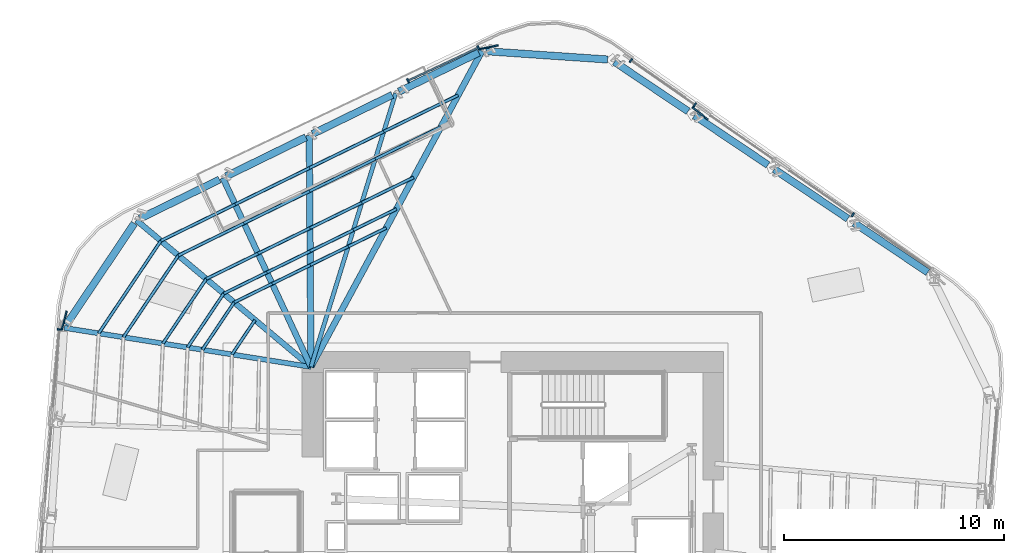
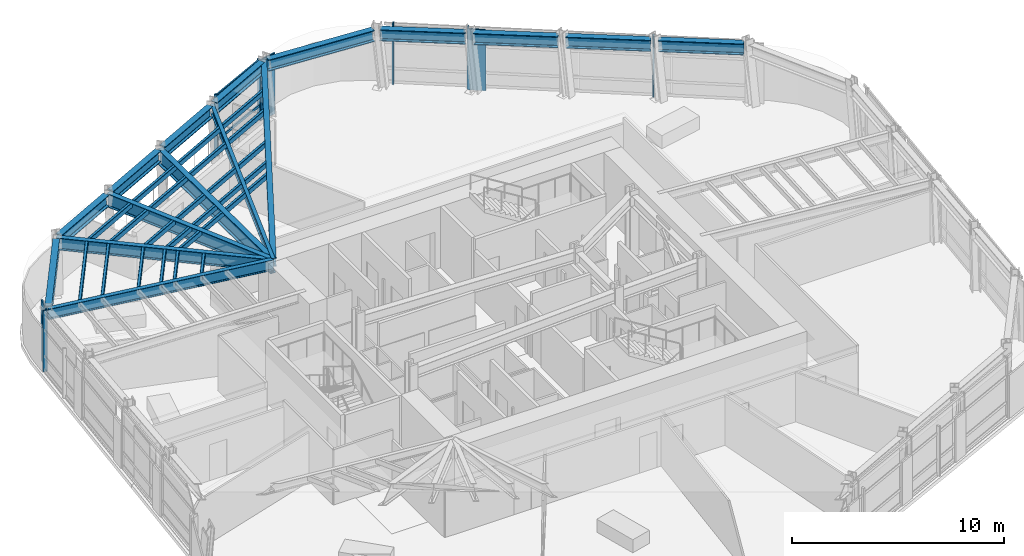
# One storey, part 6 of 19: 37 members, 16 beams, 3 elements without a shape of their own.
"""IFC4 building model written with IfcOpenShell, lengths in metres."""

from ifc_helpers import new_model, si_unit, direction, frame, origin, origin_2d, place, context, subcontext, project, spatial, rectangle, hollow_rectangle, i_section, extrude, material, layer, layer_set, material_profile, profile_set, type_object, element, aggregate, save


model = new_model("IFC4")

# Units and contexts
model_context = context("Model", 3, precision=1e-05, world=origin(), true_north=direction((0.0, 1.0)))
body_context = subcontext(model_context, "Body", "Model", "MODEL_VIEW")
ifc_project = project(units=[si_unit("LENGTHUNIT", "METRE"), si_unit("AREAUNIT", "SQUARE_METRE"), si_unit("VOLUMEUNIT", "CUBIC_METRE"), si_unit("PLANEANGLEUNIT", "RADIAN"), si_unit("MASSUNIT", "GRAM", prefix="KILO")], contexts=[model_context])

# Site, building, storey
site_placement = place(None, origin())
site = spatial("IfcSite", under=ifc_project, at=site_placement, CompositionType="ELEMENT")
building_placement = place(site_placement, origin())
building = spatial("IfcBuilding", under=site, at=building_placement, Name="Valkerne Bourse Tower", CompositionType="ELEMENT")
storey_placement = place(building_placement, frame((0.0, 0.0, 131.39990234375)))
storey = spatial("IfcBuildingStorey", under=building, at=storey_placement, Name="L33", CompositionType="ELEMENT", Elevation=131.39990234375)

# Beams
ifc_material_1 = material(Name="Steel ASTM A992", Category="steel")
ifc_material_profile_1 = material_profile(ifc_material_1, i_section(OverallWidth=0.1904296875, OverallDepth=0.457275390625, WebThickness=0.009033203125, FlangeThickness=0.014404296875, FilletRadius=0.01513671875, at=origin_2d()), Name="W18X50")
ifc_profile_set_1 = profile_set([ifc_material_profile_1], Name="Steel ASTM A992")
beam_type_1 = type_object("IfcBeamType", Name="BM-W18X50", PredefinedType="JOIST", material=ifc_profile_set_1)
beam_1_placement = place(storey_placement, frame((41.458740234375, 47.865478515625, 3.29150390625), z_axis=(-0.295701208145, -0.955280480017, 0.0), x_axis=(0.955280480017, -0.295701208145, 0.0)))
element("IfcBeam", 1, at=beam_1_placement, inside=storey, type_object=beam_type_1, Name="L33 Radial Composite Floor Beam 06", PredefinedType="JOIST", context=body_context, shape_type="SweptSolid", body=[
    extrude(i_section(OverallWidth=0.1904296875, OverallDepth=0.457275390625, WebThickness=0.009033203125, FlangeThickness=0.014404296875, FilletRadius=0.01513671875, at=origin_2d()), origin(), (0.0, 0.0, 1.0), 13.049072265625),
])
ifc_material_profile_2 = material_profile(ifc_material_1, i_section(OverallWidth=0.279296875, OverallDepth=0.46240234375, WebThickness=0.0107421875, FlangeThickness=0.017333984375, FilletRadius=0.017822265625, at=origin_2d()), Name="W18X76")
ifc_profile_set_2 = profile_set([ifc_material_profile_2], Name="Steel ASTM A992")
beam_type_2 = type_object("IfcBeamType", Name="BM-W18X76", PredefinedType="BEAM", material=ifc_profile_set_2)
beam_2_placement = place(storey_placement, frame((45.394775390625, 49.7939453125, 3.288818359375), z_axis=(-0.476184167442, -0.879345574093, 0.0), x_axis=(0.879345574093, -0.476184167442, 0.0)))
element("IfcBeam", 2, at=beam_2_placement, inside=storey, type_object=beam_type_2, Name="L33 Radial Composite Floor Beam 05", PredefinedType="BEAM", context=body_context, shape_type="SweptSolid", body=[
    extrude(i_section(OverallWidth=0.279296875, OverallDepth=0.46240234375, WebThickness=0.0107421875, FlangeThickness=0.017333984375, FilletRadius=0.017822265625, at=origin_2d()), origin(), (0.0, 0.0, 1.0), 16.369140625),
])
ifc_material_profile_3 = material_profile(ifc_material_1, i_section(OverallWidth=0.330078125, OverallDepth=0.647705078125, WebThickness=0.0205078125, FlangeThickness=0.037109375, FilletRadius=0.020263671875, at=origin_2d()), Name="W24X192")
ifc_profile_set_3 = profile_set([ifc_material_profile_3], Name="Steel ASTM A992")
beam_type_3 = type_object("IfcBeamType", Name="BM-W24X192", PredefinedType="SPANDREL", material=ifc_profile_set_3)
for number, where, z_axis, x_axis, name in (
    (3, (65.6962890625, 39.708740234375, 3.1962890625), (-0.830019460932, 0.55773443006, 0.0), (-0.55773443006, -0.830019460932, 0.0), "L33 Hexagonal Spandrel Ring Beam 00"),
    (4, (62.058349609375, 42.1533203125, 3.1962890625), (-0.830019460932, 0.55773443006, 0.0), (-0.55773443006, -0.830019460932, 0.0), "L33 Hexagonal Spandrel Ring Beam 01"),
    (5, (58.42041015625, 44.597900390625, 3.1962890625), (-0.830019460932, 0.55773443006, 0.0), (-0.55773443006, -0.830019460932, 0.0), "L33 Hexagonal Spandrel Ring Beam 02"),
    (6, (54.782470703125, 47.04248046875, 3.1962890625), (-0.829991505846, 0.55777603052, 0.0), (-0.55777603052, -0.829991505846, 0.0), "L33 Hexagonal Spandrel Ring Beam 03"),
):
    element("IfcBeam", number, at=place(storey_placement, frame(where, z_axis=z_axis, x_axis=x_axis)), inside=storey, type_object=beam_type_3, Name=name, PredefinedType="SPANDREL", context=body_context, shape_type="SweptSolid", body=[
        extrude(i_section(OverallWidth=0.330078125, OverallDepth=0.647705078125, WebThickness=0.0205078125, FlangeThickness=0.037109375, FilletRadius=0.020263671875, at=origin_2d()), origin(), (0.0, 0.0, 1.0), 4.04296875),
    ])
beam_3_placement = place(storey_placement, frame((51.1162109375, 49.40380859375, 3.1962890625), z_axis=(-0.99768504591, 0.06800403787, 0.0), x_axis=(-0.06800403787, -0.99768504591, 0.0)))
element("IfcBeam", 7, at=beam_3_placement, inside=storey, type_object=beam_type_3, Name="L33 Hexagonal Spandrel Ring Beam 04", PredefinedType="SPANDREL", context=body_context, shape_type="SweptSolid", body=[
    extrude(i_section(OverallWidth=0.330078125, OverallDepth=0.647705078125, WebThickness=0.0205078125, FlangeThickness=0.037109375, FilletRadius=0.020263671875, at=origin_2d()), origin(), (0.0, 0.0, 1.0), 5.564697265625),
])
for number, where, z_axis, x_axis, name in (
    (8, (45.2421875, 49.718994140625, 3.1962890625), (-0.898044695202, -0.439904223006, 0.0), (0.439904223006, -0.898044695202, 0.0), "L33 Hexagonal Spandrel Ring Beam 05"),
    (9, (41.305908203125, 47.790771484375, 3.1962890625), (-0.898033008818, -0.439928079432, 0.0), (0.439928079432, -0.898033008818, 0.0), "L33 Hexagonal Spandrel Ring Beam 06"),
    (10, (37.3701171875, 45.862548828125, 3.1962890625), (-0.898044695202, -0.439904223006, 0.0), (0.439904223006, -0.898044695202, 0.0), "L33 Hexagonal Spandrel Ring Beam 07"),
    (11, (33.433837890625, 43.934326171875, 3.1962890625), (-0.898009150567, -0.439976778363, 0.0), (0.439976778363, -0.898009150567, 0.0), "L33 Hexagonal Spandrel Ring Beam 08"),
):
    element("IfcBeam", number, at=place(storey_placement, frame(where, z_axis=z_axis, x_axis=x_axis)), inside=storey, type_object=beam_type_3, Name=name, PredefinedType="SPANDREL", context=body_context, shape_type="SweptSolid", body=[
        extrude(i_section(OverallWidth=0.330078125, OverallDepth=0.647705078125, WebThickness=0.0205078125, FlangeThickness=0.037109375, FilletRadius=0.020263671875, at=origin_2d()), origin(), (0.0, 0.0, 1.0), 4.04296875),
    ])
beam_4_placement = place(storey_placement, frame((29.555908203125, 41.939697265625, 3.1962890625), z_axis=(-0.557764198192, -0.829999457358, 0.0), x_axis=(0.829999457358, -0.557764198192, 0.0)))
element("IfcBeam", 12, at=beam_4_placement, inside=storey, type_object=beam_type_3, Name="L33 Hexagonal Spandrel Ring Beam 09", PredefinedType="SPANDREL", context=body_context, shape_type="SweptSolid", body=[
    extrude(i_section(OverallWidth=0.330078125, OverallDepth=0.647705078125, WebThickness=0.0205078125, FlangeThickness=0.037109375, FilletRadius=0.020263671875, at=origin_2d()), origin(), (0.0, 0.0, 1.0), 5.564697265625),
])
ifc_material_profile_4 = material_profile(ifc_material_1, i_section(OverallWidth=0.228271484375, OverallDepth=0.607177734375, WebThickness=0.01123046875, FlangeThickness=0.017333984375, FilletRadius=0.017822265625, at=origin_2d()), Name="W24X76")
ifc_profile_set_4 = profile_set([ifc_material_profile_4], Name="Steel ASTM A992")
beam_type_4 = type_object("IfcBeamType", Name="BM-W24X76", PredefinedType="JOIST", material=ifc_profile_set_4)
beam_5_placement = place(storey_placement, frame((26.357421875, 37.179931640625, 3.216552734375), z_axis=(0.987696966895, -0.156379991002, 0.0), x_axis=(0.156379991002, 0.987696966895, 0.0)))
element("IfcBeam", 13, at=beam_5_placement, inside=storey, type_object=beam_type_4, Name="L33 Radial Composite Floor Beam 10", PredefinedType="JOIST", context=body_context, shape_type="SweptSolid", body=[
    extrude(i_section(OverallWidth=0.228271484375, OverallDepth=0.607177734375, WebThickness=0.01123046875, FlangeThickness=0.017333984375, FilletRadius=0.017822265625, at=origin_2d()), origin(), (0.0, 0.0, 1.0), 11.3828125),
])
ifc_material_profile_5 = material_profile(ifc_material_1, i_section(OverallWidth=0.255859375, OverallDepth=0.693359375, WebThickness=0.014404296875, FlangeThickness=0.023681640625, FilletRadius=0.02294921875, at=origin_2d()), Name="W27X114")
ifc_profile_set_5 = profile_set([ifc_material_profile_5], Name="Steel ASTM A992")
beam_type_5 = type_object("IfcBeamType", Name="BM-W27X114", PredefinedType="BEAM", material=ifc_profile_set_5)
beam_6_placement = place(storey_placement, frame((29.650634765625, 42.080810546875, 3.17333984375), z_axis=(0.76554551267, -0.643381743626, 0.0), x_axis=(0.643381743626, 0.76554551267, 0.0)))
element("IfcBeam", 14, at=beam_6_placement, inside=storey, type_object=beam_type_5, Name="L33 Radial Composite Floor Beam 09", PredefinedType="BEAM", context=body_context, shape_type="SweptSolid", body=[
    extrude(i_section(OverallWidth=0.255859375, OverallDepth=0.693359375, WebThickness=0.014404296875, FlangeThickness=0.023681640625, FilletRadius=0.02294921875, at=origin_2d()), origin(), (0.0, 0.0, 1.0), 10.384033203125),
])
ifc_material_profile_6 = material_profile(ifc_material_1, i_section(OverallWidth=0.26806640625, OverallDepth=0.76953125, WebThickness=0.015625, FlangeThickness=0.025390625, FilletRadius=0.025390625, at=origin_2d()), Name="W30X132")
ifc_profile_set_6 = profile_set([ifc_material_profile_6], Name="Steel ASTM A992")
beam_type_6 = type_object("IfcBeamType", Name="BM-W30X132", PredefinedType="BEAM", material=ifc_profile_set_6)
beam_7_placement = place(storey_placement, frame((33.586669921875, 44.009033203125, 3.13525390625), z_axis=(0.422525220148, -0.90635116723, 0.0), x_axis=(0.90635116723, 0.422525220148, 0.0)))
element("IfcBeam", 15, at=beam_7_placement, inside=storey, type_object=beam_type_6, Name="L33 Radial Composite Floor Beam 08", PredefinedType="BEAM", context=body_context, shape_type="SweptSolid", body=[
    extrude(i_section(OverallWidth=0.26806640625, OverallDepth=0.76953125, WebThickness=0.015625, FlangeThickness=0.025390625, FilletRadius=0.025390625, at=origin_2d()), origin(), (0.0, 0.0, 1.0), 9.498779296875),
])
ifc_material_profile_7 = material_profile(ifc_material_1, i_section(OverallWidth=0.2919921875, OverallDepth=0.8583984375, WebThickness=0.01708984375, FlangeThickness=0.031005859375, FilletRadius=0.025390625, at=origin_2d()), Name="W33X169")
ifc_profile_set_7 = profile_set([ifc_material_profile_7], Name="Steel ASTM A992")
beam_type_7 = type_object("IfcBeamType", Name="BM-W33X169", PredefinedType="BEAM", material=ifc_profile_set_7)
beam_8_placement = place(storey_placement, frame((37.522705078125, 45.9375, 3.0908203125), z_axis=(0.007344225262, -0.999973030814, 0.0), x_axis=(0.999973030814, 0.007344225262, 0.0)))
element("IfcBeam", 16, at=beam_8_placement, inside=storey, type_object=beam_type_7, Name="L33 Radial Composite Floor Beam 07", PredefinedType="BEAM", context=body_context, shape_type="SweptSolid", body=[
    extrude(i_section(OverallWidth=0.2919921875, OverallDepth=0.8583984375, WebThickness=0.01708984375, FlangeThickness=0.031005859375, FilletRadius=0.025390625, at=origin_2d()), origin(), (0.0, 0.0, 1.0), 10.537841796875),
])

# Curtain wall, members
ifc_material_2 = material(Name="Aluminium AA 6063-T6", Category="aluminium")
ifc_layer = layer(ifc_material_2, 0.22998046875)
ifc_layer_set = layer_set([ifc_layer], Name="Aluminium AA 6063-T6")
curtain_wall_type = type_object("IfcCurtainWallType", Name="CW-02", PredefinedType="NOTDEFINED", material=ifc_layer_set)
curtain_wall_1_placement = place(storey_placement, origin())
curtain_wall_1 = element("IfcCurtainWall", 17, at=curtain_wall_1_placement, inside=storey, type_object=curtain_wall_type, Name="L33 Hexagonal Stick Curtain Wall Face 1", PredefinedType="NOTDEFINED")
ifc_material_profile_8 = material_profile(ifc_material_2, rectangle(XDim=0.074951171875, YDim=0.199951171875, at=origin_2d()), Name="CWM-75X200")
ifc_profile_set_8 = profile_set([ifc_material_profile_8], Name="Aluminium AA 6063-T6")
member_type_1 = type_object("IfcMemberType", Name="CW-MUL-220X75", PredefinedType="MULLION", material=ifc_profile_set_8)
member_1_placement = place(storey_placement, frame((62.283203125, 42.33349609375, 0.0), z_axis=(0.0, 0.0, 1.0), x_axis=(-0.82114275782, 0.570722849797, 0.0)))
member_1 = element("IfcMember", 18, at=member_1_placement, type_object=member_type_1, Name="CW-L33-F1 Jamb Mullion 01A", PredefinedType="MULLION", context=body_context, shape_type="SweptSolid", body=[
    extrude(rectangle(XDim=0.074951171875, YDim=0.199951171875, at=origin_2d()), origin(), (0.0, 0.0, 1.0), 3.52001953125),
])
member_2_placement = place(storey_placement, frame((55.085205078125, 47.33642578125, 0.0), z_axis=(0.0, 0.0, 1.0), x_axis=(-0.821153450054, 0.570707465751, 0.0)))
member_2 = element("IfcMember", 19, at=member_2_placement, type_object=member_type_1, Name="CW-L33-F1 Jamb Mullion 03A", PredefinedType="MULLION", context=body_context, shape_type="SweptSolid", body=[
    extrude(rectangle(XDim=0.074951171875, YDim=0.199951171875, at=origin_2d()), origin(), (0.0, 0.0, 1.0), 3.52001953125),
])
member_3_placement = place(storey_placement, frame((52.17578125, 49.3583984375, 0.0), z_axis=(0.0, 0.0, 1.0), x_axis=(-0.821153450054, 0.570707465751, 0.0)))
member_3 = element("IfcMember", 20, at=member_3_placement, type_object=member_type_1, Name="CW-L33-F1 Jamb Mullion 03B", PredefinedType="MULLION", context=body_context, shape_type="SweptSolid", body=[
    extrude(rectangle(XDim=0.074951171875, YDim=0.199951171875, at=origin_2d()), origin(), (0.0, 0.0, 1.0), 3.52001953125),
])
aggregate(curtain_wall_1, [member_1, member_2, member_3])

curtain_wall_2_placement = place(storey_placement, origin())
curtain_wall_2 = element("IfcCurtainWall", 21, at=curtain_wall_2_placement, inside=storey, type_object=curtain_wall_type, Name="L33 Hexagonal Stick Curtain Wall Face 2", PredefinedType="NOTDEFINED")
member_4_placement = place(storey_placement, frame((45.228271484375, 49.94189453125, 0.0), z_axis=(0.0, 0.0, 1.0), x_axis=(-0.904828009037, -0.425777258743, 0.0)))
member_4 = element("IfcMember", 22, at=member_4_placement, type_object=member_type_1, Name="CW-L33-F2 Jamb Mullion 00A", PredefinedType="MULLION", context=body_context, shape_type="SweptSolid", body=[
    extrude(rectangle(XDim=0.074951171875, YDim=0.199951171875, at=origin_2d()), origin(), (0.0, 0.0, 1.0), 3.52001953125),
])
member_5_placement = place(storey_placement, frame((42.0224609375, 48.433349609375, 0.0), z_axis=(0.0, 0.0, 1.0), x_axis=(-0.904828009037, -0.425777258743, 0.0)))
member_5 = element("IfcMember", 23, at=member_5_placement, type_object=member_type_1, Name="CW-L33-F2 Jamb Mullion 00B", PredefinedType="MULLION", context=body_context, shape_type="SweptSolid", body=[
    extrude(rectangle(XDim=0.074951171875, YDim=0.199951171875, at=origin_2d()), origin(), (0.0, 0.0, 1.0), 3.52001953125),
])

# Curtain wall, member
curtain_wall_3_placement = place(storey_placement, origin())
curtain_wall_3 = element("IfcCurtainWall", 24, at=curtain_wall_3_placement, inside=storey, type_object=curtain_wall_type, Name="L33 Hexagonal Stick Curtain Wall Face 3", PredefinedType="NOTDEFINED")
member_6_placement = place(storey_placement, frame((26.145751953125, 37.109619140625, 0.0), z_axis=(0.0, 0.0, 1.0), x_axis=(-0.083687445044, -0.996492052925, 0.0)))
member_6 = element("IfcMember", 25, at=member_6_placement, type_object=member_type_1, Name="CW-L33-F3 Jamb Mullion 00A", PredefinedType="MULLION", context=body_context, shape_type="SweptSolid", body=[
    extrude(rectangle(XDim=0.074951171875, YDim=0.199951171875, at=origin_2d()), origin(), (0.0, 0.0, 1.0), 3.52001953125),
])
aggregate(curtain_wall_3, [member_6])

# Member
ifc_material_profile_9 = material_profile(ifc_material_2, rectangle(XDim=0.074951171875, YDim=0.14990234375, at=origin_2d()), Name="CWT-75X150")
ifc_profile_set_9 = profile_set([ifc_material_profile_9], Name="Aluminium AA 6063-T6")
member_type_2 = type_object("IfcMemberType", Name="CW-TRN-180X65", PredefinedType="USERDEFINED", material=ifc_profile_set_9)
member_7_placement = place(storey_placement, frame((45.228271484375, 49.94189453125, 0.85009765625), z_axis=(-0.904826510283, -0.425780443762, 0.0), x_axis=(0.425780443762, -0.904826510283, 0.0)))
member_7 = element("IfcMember", 26, at=member_7_placement, type_object=member_type_2, Name="CW-L33-F2 Bay Transom 00-1", ObjectType="TRANSOM", PredefinedType="USERDEFINED", context=body_context, shape_type="SweptSolid", body=[
    extrude(rectangle(XDim=0.074951171875, YDim=0.14990234375, at=origin_2d()), origin(), (0.0, 0.0, 1.0), 3.54296875),
])

member_8_placement = place(storey_placement, frame((45.228271484375, 49.94189453125, 3.440185546875), z_axis=(-0.904826510283, -0.425780443762, 0.0), x_axis=(0.425780443762, -0.904826510283, 0.0)))
member_8 = element("IfcMember", 27, at=member_8_placement, type_object=member_type_2, Name="CW-L33-F2 Bay Transom 00-2", ObjectType="TRANSOM", PredefinedType="USERDEFINED", context=body_context, shape_type="SweptSolid", body=[
    extrude(rectangle(XDim=0.074951171875, YDim=0.14990234375, at=origin_2d()), origin(), (0.0, 0.0, 1.0), 3.54296875),
])

aggregate(curtain_wall_2, [member_4, member_5, member_7, member_8])

# Members
ifc_material_3 = material(Name="Bronze Anodised Aluminium AA 6063-T6", Category="aluminium")
ifc_material_profile_10 = material_profile(ifc_material_3, rectangle(XDim=0.070068359375, YDim=0.89990234375, at=origin_2d()), Name="FIN-70X900")
ifc_profile_set_10 = profile_set([ifc_material_profile_10], Name="Bronze Anodised Aluminium AA 6063-T6")
member_type_3 = type_object("IfcMemberType", Name="FIN-SOLAR-900", PredefinedType="USERDEFINED", material=ifc_profile_set_10)
for number, where, z_axis, x_axis, name in (
    (28, (55.327392578125, 46.948974609375, 0.004150390625), (0.0, 0.0, 1.0), (0.620494932624, 0.784210455546, 0.0), "L33 Bronze Anodised Solar Fin F1-03"),
    (29, (45.684814453125, 49.9580078125, 0.004150390625), (0.0, 0.0, 1.0), (-0.202720226303, 0.97923669756, 0.0), "L33 Bronze Anodised Solar Fin F2-00"),
    (30, (26.3603515625, 37.51318359375, 0.004150390625), (0.0, 0.0, 1.0), (-0.967037763918, 0.254632996991, 0.0), "L33 Bronze Anodised Solar Fin F3-00"),
):
    element("IfcMember", number, at=place(storey_placement, frame(where, z_axis=z_axis, x_axis=x_axis)), inside=storey, type_object=member_type_3, Name=name, ObjectType="SOLAR_FIN", PredefinedType="USERDEFINED", context=body_context, shape_type="SweptSolid", body=[
        extrude(rectangle(XDim=0.070068359375, YDim=0.89990234375, at=origin_2d()), origin(), (0.0, 0.0, 1.0), 3.511962890625),
    ])
ifc_material_4 = material(Name="Steel ASTM A500 Grade C", Category="steel")
ifc_material_profile_11 = material_profile(ifc_material_4, hollow_rectangle(XDim=0.14990234375, YDim=0.300048828125, WallThickness=0.012451171875, OuterFilletRadius=0.02490234375, at=origin_2d()), Name="HSS300X150X12.5")
ifc_profile_set_11 = profile_set([ifc_material_profile_11], Name="Steel ASTM A500 Grade C")
member_type_4 = type_object("IfcMemberType", Name="MBR-HSS300X150X12.5", PredefinedType="PURLIN", material=ifc_profile_set_11)
member_9_placement = place(storey_placement, frame((35.05615234375, 37.537841796875, 3.360107421875), z_axis=(-0.557767463397, -0.829997263114, 0.0), x_axis=(0.829997263114, -0.557767463397, 0.0)))
element("IfcMember", 31, at=member_9_placement, inside=storey, type_object=member_type_4, Name="L33 Secondary Composite Floor Purlin I-09", PredefinedType="PURLIN", context=body_context, shape_type="SweptSolid", body=[
    extrude(hollow_rectangle(XDim=0.14990234375, YDim=0.300048828125, WallThickness=0.012451171875, OuterFilletRadius=0.02490234375, at=origin_2d()), origin(), (0.0, 0.0, 1.0), 1.8896484375),
])
for number, where, z_axis, x_axis, name in (
    (32, (41.02978515625, 41.7333984375, 3.360107421875), (-0.898043316476, -0.439907037603, 0.0), (0.439907037603, -0.898043316476, 0.0), "L33 Secondary Composite Floor Purlin K-05"),
    (33, (39.2978515625, 40.885009765625, 3.360107421875), (-0.898043316476, -0.439907037603, 0.0), (0.439907037603, -0.898043316476, 0.0), "L33 Secondary Composite Floor Purlin K-06"),
):
    element("IfcMember", number, at=place(storey_placement, frame(where, z_axis=z_axis, x_axis=x_axis)), inside=storey, type_object=member_type_4, Name=name, PredefinedType="PURLIN", context=body_context, shape_type="SweptSolid", body=[
        extrude(hollow_rectangle(XDim=0.14990234375, YDim=0.300048828125, WallThickness=0.012451171875, OuterFilletRadius=0.02490234375, at=origin_2d()), origin(), (0.0, 0.0, 1.0), 1.928466796875),
    ])
member_10_placement = place(storey_placement, frame((37.56591796875, 40.03662109375, 3.360107421875), z_axis=(-0.897993302602, -0.440009123181, 0.0), x_axis=(0.440009123181, -0.897993302602, 0.0)))
element("IfcMember", 34, at=member_10_placement, inside=storey, type_object=member_type_4, Name="L33 Secondary Composite Floor Purlin K-07", PredefinedType="PURLIN", context=body_context, shape_type="SweptSolid", body=[
    extrude(hollow_rectangle(XDim=0.14990234375, YDim=0.300048828125, WallThickness=0.012451171875, OuterFilletRadius=0.02490234375, at=origin_2d()), origin(), (0.0, 0.0, 1.0), 1.9287109375),
])
member_11_placement = place(storey_placement, frame((35.833984375, 39.18798828125, 3.360107421875), z_axis=(-0.898018814451, -0.439957053464, 0.0), x_axis=(0.439957053464, -0.898018814451, 0.0)))
element("IfcMember", 35, at=member_11_placement, inside=storey, type_object=member_type_4, Name="L33 Secondary Composite Floor Purlin K-08", PredefinedType="PURLIN", context=body_context, shape_type="SweptSolid", body=[
    extrude(hollow_rectangle(XDim=0.14990234375, YDim=0.300048828125, WallThickness=0.012451171875, OuterFilletRadius=0.02490234375, at=origin_2d()), origin(), (0.0, 0.0, 1.0), 1.92822265625),
])
member_12_placement = place(storey_placement, frame((34.102294921875, 38.339599609375, 3.360107421875), z_axis=(-0.557710818645, -0.830035326216, 0.0), x_axis=(0.830035326216, -0.557710818645, 0.0)))
element("IfcMember", 36, at=member_12_placement, inside=storey, type_object=member_type_4, Name="L33 Secondary Composite Floor Purlin K-09", PredefinedType="PURLIN", context=body_context, shape_type="SweptSolid", body=[
    extrude(hollow_rectangle(XDim=0.14990234375, YDim=0.300048828125, WallThickness=0.012451171875, OuterFilletRadius=0.02490234375, at=origin_2d()), origin(), (0.0, 0.0, 1.0), 2.59814453125),
])
for number, where, z_axis, x_axis, name in (
    (37, (41.497314453125, 42.596923828125, 3.360107421875), (-0.898029475007, -0.439935292991, 0.0), (0.439935292991, -0.898029475007, 0.0), "L33 Secondary Composite Floor Purlin M-05"),
    (38, (39.529296875, 41.6328125, 3.360107421875), (-0.898029475007, -0.439935292991, 0.0), (0.439935292991, -0.898029475007, 0.0), "L33 Secondary Composite Floor Purlin M-06"),
    (39, (37.561279296875, 40.668701171875, 3.360107421875), (-0.898029475007, -0.439935292991, 0.0), (0.439935292991, -0.898029475007, 0.0), "L33 Secondary Composite Floor Purlin M-07"),
    (40, (35.59326171875, 39.70458984375, 3.360107421875), (-0.898029475007, -0.439935292991, 0.0), (0.439935292991, -0.898029475007, 0.0), "L33 Secondary Composite Floor Purlin M-08"),
):
    element("IfcMember", number, at=place(storey_placement, frame(where, z_axis=z_axis, x_axis=x_axis)), inside=storey, type_object=member_type_4, Name=name, PredefinedType="PURLIN", context=body_context, shape_type="SweptSolid", body=[
        extrude(hollow_rectangle(XDim=0.14990234375, YDim=0.300048828125, WallThickness=0.012451171875, OuterFilletRadius=0.02490234375, at=origin_2d()), origin(), (0.0, 0.0, 1.0), 2.19140625),
    ])
member_13_placement = place(storey_placement, frame((33.625244140625, 38.740478515625, 3.360107421875), z_axis=(-0.557711831335, -0.830034645776, 0.0), x_axis=(0.830034645776, -0.557711831335, 0.0)))
element("IfcMember", 41, at=member_13_placement, inside=storey, type_object=member_type_4, Name="L33 Secondary Composite Floor Purlin M-09", PredefinedType="PURLIN", context=body_context, shape_type="SweptSolid", body=[
    extrude(hollow_rectangle(XDim=0.14990234375, YDim=0.300048828125, WallThickness=0.012451171875, OuterFilletRadius=0.02490234375, at=origin_2d()), origin(), (0.0, 0.0, 1.0), 2.9521484375),
])
for number, where, z_axis, x_axis, name in (
    (42, (43.52392578125, 46.33935546875, 3.360107421875), (-0.89800420232, -0.439986877777, 0.0), (0.439986877777, -0.89800420232, 0.0), "L33 Secondary Composite Floor Purlin O-05"),
    (43, (40.53271484375, 44.873779296875, 3.360107421875), (-0.898047344916, -0.439898813694, 0.0), (0.439898813694, -0.898047344916, 0.0), "L33 Secondary Composite Floor Purlin O-06"),
    (44, (37.541259765625, 43.408447265625, 3.360107421875), (-0.898018389888, -0.43995792006, 0.0), (0.43995792006, -0.898018389888, 0.0), "L33 Secondary Composite Floor Purlin O-07"),
    (45, (34.5498046875, 41.94287109375, 3.360107421875), (-0.89800420232, -0.439986877777, 0.0), (0.439986877777, -0.89800420232, 0.0), "L33 Secondary Composite Floor Purlin O-08"),
):
    element("IfcMember", number, at=place(storey_placement, frame(where, z_axis=z_axis, x_axis=x_axis)), inside=storey, type_object=member_type_4, Name=name, PredefinedType="PURLIN", context=body_context, shape_type="SweptSolid", body=[
        extrude(hollow_rectangle(XDim=0.14990234375, YDim=0.300048828125, WallThickness=0.012451171875, OuterFilletRadius=0.02490234375, at=origin_2d()), origin(), (0.0, 0.0, 1.0), 3.3310546875),
    ])
member_14_placement = place(storey_placement, frame((31.55859375, 40.477294921875, 3.360107421875), z_axis=(-0.557797333586, -0.829977189231, 0.0), x_axis=(0.829977189231, -0.557797333586, 0.0)))
element("IfcMember", 46, at=member_14_placement, inside=storey, type_object=member_type_4, Name="L33 Secondary Composite Floor Purlin O-09", PredefinedType="PURLIN", context=body_context, shape_type="SweptSolid", body=[
    extrude(hollow_rectangle(XDim=0.14990234375, YDim=0.300048828125, WallThickness=0.012451171875, OuterFilletRadius=0.02490234375, at=origin_2d()), origin(), (0.0, 0.0, 1.0), 4.487548828125),
])
for number, where, z_axis, x_axis, name in (
    (47, (42.27685546875, 44.036376953125, 3.360107421875), (-0.898018545549, -0.439957602332, 0.0), (0.439957602332, -0.898018545549, 0.0), "L33 Secondary Composite Floor Purlin Z-05"),
    (48, (39.915283203125, 42.87939453125, 3.360107421875), (-0.898018545549, -0.439957602332, 0.0), (0.439957602332, -0.898018545549, 0.0), "L33 Secondary Composite Floor Purlin Z-06"),
):
    element("IfcMember", number, at=place(storey_placement, frame(where, z_axis=z_axis, x_axis=x_axis)), inside=storey, type_object=member_type_4, Name=name, PredefinedType="PURLIN", context=body_context, shape_type="SweptSolid", body=[
        extrude(hollow_rectangle(XDim=0.14990234375, YDim=0.300048828125, WallThickness=0.012451171875, OuterFilletRadius=0.02490234375, at=origin_2d()), origin(), (0.0, 0.0, 1.0), 2.629638671875),
    ])
member_15_placement = place(storey_placement, frame((37.5537109375, 41.722412109375, 3.360107421875), z_axis=(-0.898036513207, -0.439920925789, 0.0), x_axis=(0.439920925789, -0.898036513207, 0.0)))
element("IfcMember", 49, at=member_15_placement, inside=storey, type_object=member_type_4, Name="L33 Secondary Composite Floor Purlin Z-07", PredefinedType="PURLIN", context=body_context, shape_type="SweptSolid", body=[
    extrude(hollow_rectangle(XDim=0.14990234375, YDim=0.300048828125, WallThickness=0.012451171875, OuterFilletRadius=0.02490234375, at=origin_2d()), origin(), (0.0, 0.0, 1.0), 2.6298828125),
])
member_16_placement = place(storey_placement, frame((35.19189453125, 40.5654296875, 3.360107421875), z_axis=(-0.898018545549, -0.439957602332, 0.0), x_axis=(0.439957602332, -0.898018545549, 0.0)))
element("IfcMember", 50, at=member_16_placement, inside=storey, type_object=member_type_4, Name="L33 Secondary Composite Floor Purlin Z-08", PredefinedType="PURLIN", context=body_context, shape_type="SweptSolid", body=[
    extrude(hollow_rectangle(XDim=0.14990234375, YDim=0.300048828125, WallThickness=0.012451171875, OuterFilletRadius=0.02490234375, at=origin_2d()), origin(), (0.0, 0.0, 1.0), 2.629638671875),
])
member_17_placement = place(storey_placement, frame((32.830322265625, 39.408447265625, 3.360107421875), z_axis=(-0.557734088092, -0.830019690718, 0.0), x_axis=(0.830019690718, -0.557734088092, 0.0)))
element("IfcMember", 51, at=member_17_placement, inside=storey, type_object=member_type_4, Name="L33 Secondary Composite Floor Purlin Z-09", PredefinedType="PURLIN", context=body_context, shape_type="SweptSolid", body=[
    extrude(hollow_rectangle(XDim=0.14990234375, YDim=0.300048828125, WallThickness=0.012451171875, OuterFilletRadius=0.02490234375, at=origin_2d()), origin(), (0.0, 0.0, 1.0), 3.54248046875),
])
member_18_placement = place(storey_placement, frame((44.303466796875, 47.77880859375, 3.360107421875), z_axis=(-0.898012053552, -0.439970853212, 0.0), x_axis=(0.439970853212, -0.898012053552, 0.0)))
element("IfcMember", 52, at=member_18_placement, inside=storey, type_object=member_type_4, Name="L33 Secondary Composite Floor Purlin T-05", PredefinedType="PURLIN", context=body_context, shape_type="SweptSolid", body=[
    extrude(hollow_rectangle(XDim=0.14990234375, YDim=0.300048828125, WallThickness=0.012451171875, OuterFilletRadius=0.02490234375, at=origin_2d()), origin(), (0.0, 0.0, 1.0), 3.76953125),
])
member_19_placement = place(storey_placement, frame((40.91845703125, 46.120361328125, 3.360107421875), z_axis=(-0.898037642649, -0.439918620185, 0.0), x_axis=(0.439918620185, -0.898037642649, 0.0)))
element("IfcMember", 53, at=member_19_placement, inside=storey, type_object=member_type_4, Name="L33 Secondary Composite Floor Purlin T-06", PredefinedType="PURLIN", context=body_context, shape_type="SweptSolid", body=[
    extrude(hollow_rectangle(XDim=0.14990234375, YDim=0.300048828125, WallThickness=0.012451171875, OuterFilletRadius=0.02490234375, at=origin_2d()), origin(), (0.0, 0.0, 1.0), 3.769287109375),
])
member_20_placement = place(storey_placement, frame((37.533447265625, 44.462158203125, 3.360107421875), z_axis=(-0.898012053552, -0.439970853212, 0.0), x_axis=(0.439970853212, -0.898012053552, 0.0)))
element("IfcMember", 54, at=member_20_placement, inside=storey, type_object=member_type_4, Name="L33 Secondary Composite Floor Purlin T-07", PredefinedType="PURLIN", context=body_context, shape_type="SweptSolid", body=[
    extrude(hollow_rectangle(XDim=0.14990234375, YDim=0.300048828125, WallThickness=0.012451171875, OuterFilletRadius=0.02490234375, at=origin_2d()), origin(), (0.0, 0.0, 1.0), 3.76953125),
])
member_21_placement = place(storey_placement, frame((34.1484375, 42.8037109375, 3.360107421875), z_axis=(-0.898037642649, -0.439918620185, 0.0), x_axis=(0.439918620185, -0.898037642649, 0.0)))
element("IfcMember", 55, at=member_21_placement, inside=storey, type_object=member_type_4, Name="L33 Secondary Composite Floor Purlin T-08", PredefinedType="PURLIN", context=body_context, shape_type="SweptSolid", body=[
    extrude(hollow_rectangle(XDim=0.14990234375, YDim=0.300048828125, WallThickness=0.012451171875, OuterFilletRadius=0.02490234375, at=origin_2d()), origin(), (0.0, 0.0, 1.0), 3.769287109375),
])
member_22_placement = place(storey_placement, frame((30.763427734375, 41.1455078125, 3.360107421875), z_axis=(-0.557736676105, -0.83001795169, 0.0), x_axis=(0.83001795169, -0.557736676105, 0.0)))
element("IfcMember", 56, at=member_22_placement, inside=storey, type_object=member_type_4, Name="L33 Secondary Composite Floor Purlin T-09", PredefinedType="PURLIN", context=body_context, shape_type="SweptSolid", body=[
    extrude(hollow_rectangle(XDim=0.14990234375, YDim=0.300048828125, WallThickness=0.012451171875, OuterFilletRadius=0.02490234375, at=origin_2d()), origin(), (0.0, 0.0, 1.0), 5.07763671875),
])

save(model, "model.ifc")
